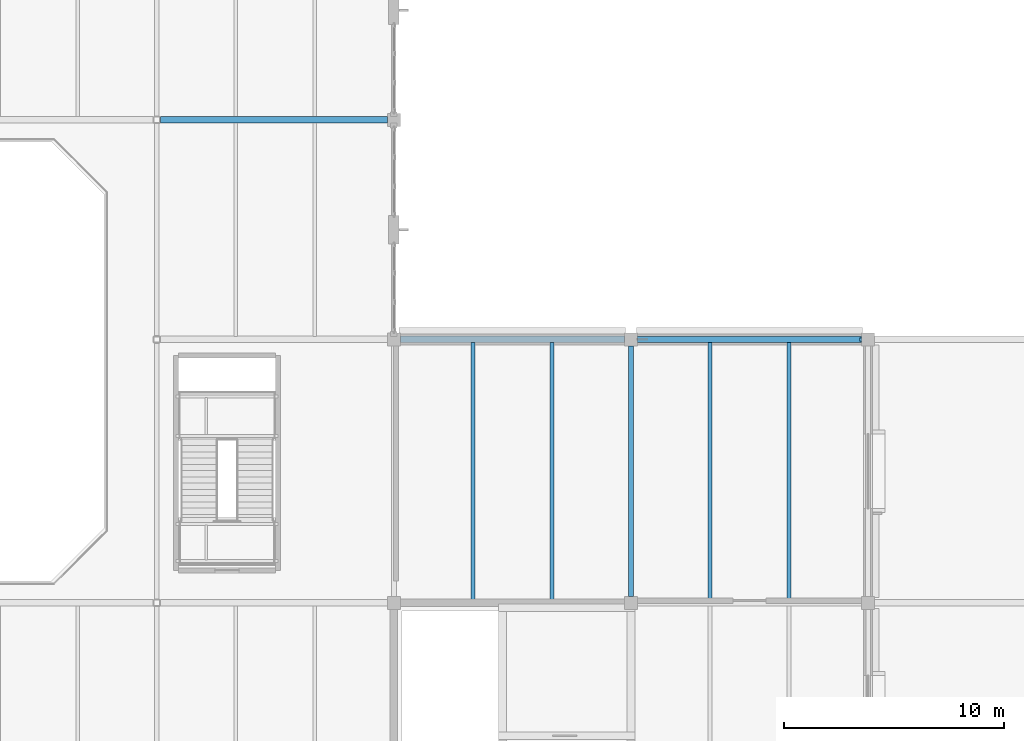
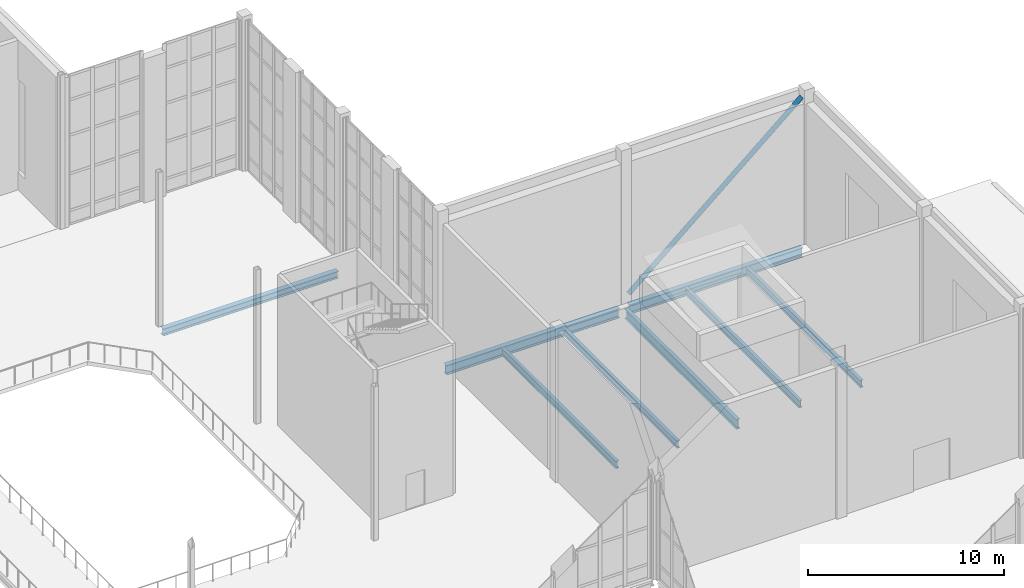
# One storey, part 41 of 100: 8 beams, 1 member.
"""IFC4 building model written with IfcOpenShell, lengths in metres."""

from ifc_helpers import new_model, si_unit, direction, frame, origin, origin_2d, place, context, subcontext, project, spatial, hollow_circle, i_section, extrude, material, material_profile, profile_set, type_object, element, save


model = new_model("IFC4")

# Units and contexts
model_context = context("Model", 3, precision=1e-05, world=origin(), true_north=direction((0.0, 1.0)))
body_context = subcontext(model_context, "Body", "Model", "MODEL_VIEW")
ifc_project = project(units=[si_unit("LENGTHUNIT", "METRE"), si_unit("AREAUNIT", "SQUARE_METRE"), si_unit("VOLUMEUNIT", "CUBIC_METRE"), si_unit("PLANEANGLEUNIT", "RADIAN"), si_unit("MASSUNIT", "GRAM", prefix="KILO")], contexts=[model_context])

# Site, building, storey
site_placement = place(None, origin())
site = spatial("IfcSite", under=ifc_project, at=site_placement, CompositionType="ELEMENT")
building_placement = place(site_placement, origin())
building = spatial("IfcBuilding", under=site, at=building_placement, Name="Tasgan Crest Museum", CompositionType="ELEMENT")
storey_placement = place(building_placement, frame((0.0, 0.0, 14.39990234375)))
storey = spatial("IfcBuildingStorey", under=building, at=storey_placement, Name="L03", CompositionType="ELEMENT", Elevation=14.39990234375)

# Beams
ifc_material_1 = material(Name="Steel S355J2", Category="steel")
ifc_material_profile_1 = material_profile(ifc_material_1, i_section(OverallWidth=0.300048828125, OverallDepth=0.43994140625, WebThickness=0.011474609375, FlangeThickness=0.02099609375, FilletRadius=0.027099609375, at=origin_2d()), Name="HEA 450")
ifc_profile_set_1 = profile_set([ifc_material_profile_1], Name="Steel S355J2")
beam_type_1 = type_object("IfcBeamType", Name="BM-G-HEA450", PredefinedType="BEAM", material=ifc_profile_set_1)
beam_1_placement = place(storey_placement, frame((97.373779296875, 72.0, -0.4599609375), z_axis=(1.0, 0.0, 0.0), x_axis=(0.0, 1.0, 0.0)))
element("IfcBeam", 1, at=beam_1_placement, inside=storey, type_object=beam_type_1, Name="Girder L03 H 97.2-108.0", PredefinedType="BEAM", context=body_context, shape_type="SweptSolid", body=[
    extrude(i_section(OverallWidth=0.300048828125, OverallDepth=0.43994140625, WebThickness=0.011474609375, FlangeThickness=0.02099609375, FilletRadius=0.027099609375, at=origin_2d()), origin(), (0.0, 0.0, 1.0), 10.330322265625),
])
ifc_material_2 = material(Name="Steel S355J2", Category="steel")
ifc_material_profile_2 = material_profile(ifc_material_2, i_section(OverallWidth=0.300048828125, OverallDepth=0.590087890625, WebThickness=0.012939453125, FlangeThickness=0.02490234375, FilletRadius=0.027099609375, at=origin_2d()), Name="HEA 600")
ifc_profile_set_2 = profile_set([ifc_material_profile_2], Name="Steel S355J2")
beam_type_2 = type_object("IfcBeamType", Name="BM-G-HEA600", PredefinedType="BEAM", material=ifc_profile_set_2)
for number, where, z_axis, x_axis, name in (
    (2, (108.2958984375, 62.0, -0.574951171875), (1.0, 0.0, 0.0), (0.0, 1.0, 0.0), "Girder L03 G 108.0-118.8"),
    (3, (119.095947265625, 62.0, -0.574951171875), (1.0, 0.0, 0.0), (0.0, 1.0, 0.0), "Girder L03 G 118.8-129.6"),
):
    element("IfcBeam", number, at=place(storey_placement, frame(where, z_axis=z_axis, x_axis=x_axis)), inside=storey, type_object=beam_type_2, Name=name, PredefinedType="BEAM", context=body_context, shape_type="SweptSolid", body=[
        extrude(i_section(OverallWidth=0.300048828125, OverallDepth=0.590087890625, WebThickness=0.012939453125, FlangeThickness=0.02490234375, FilletRadius=0.027099609375, at=origin_2d()), origin(), (0.0, 0.0, 1.0), 10.2080078125),
    ])
ifc_material_3 = material(Name="Steel S355J2", Category="steel")
ifc_material_profile_3 = material_profile(ifc_material_3, i_section(OverallWidth=0.219970703125, OverallDepth=0.60009765625, WebThickness=0.011962890625, FlangeThickness=0.01904296875, FilletRadius=0.02392578125, at=origin_2d()), Name="IPE 600")
ifc_profile_set_3 = profile_set([ifc_material_profile_3], Name="Steel S355J2")
beam_type_3 = type_object("IfcBeamType", Name="BM-G-IPE600", PredefinedType="BEAM", material=ifc_profile_set_3)
beam_2_placement = place(storey_placement, frame((118.800048828125, 50.294921875, -0.579833984375), z_axis=(0.0, 1.0, 0.0), x_axis=(-1.0, 0.0, 0.0)))
element("IfcBeam", 4, at=beam_2_placement, inside=storey, type_object=beam_type_3, Name="Beam L03 12 50.0-62.0", PredefinedType="BEAM", context=body_context, shape_type="SweptSolid", body=[
    extrude(i_section(OverallWidth=0.219970703125, OverallDepth=0.60009765625, WebThickness=0.011962890625, FlangeThickness=0.01904296875, FilletRadius=0.02392578125, at=origin_2d()), origin(), (0.0, 0.0, 1.0), 11.41015625),
])
ifc_material_4 = material(Name="Steel S355J2", Category="steel")
ifc_material_profile_4 = material_profile(ifc_material_4, i_section(OverallWidth=0.18994140625, OverallDepth=0.449951171875, WebThickness=0.009521484375, FlangeThickness=0.0146484375, FilletRadius=0.02099609375, at=origin_2d()), Name="IPE 450")
ifc_profile_set_4 = profile_set([ifc_material_profile_4], Name="Steel S355J2")
beam_type_4 = type_object("IfcBeamType", Name="BM-J-IPE450", PredefinedType="JOIST", material=ifc_profile_set_4)
for number, where, z_axis, x_axis, name in (
    (5, (111.60009765625, 50.14501953125, -0.5048828125), (0.0, 1.0, 0.0), (-1.0, 0.0, 0.0), "Secondary joist L03 X=111.6 Y=50.0-62.0"),
    (6, (115.199951171875, 50.14501953125, -0.5048828125), (0.0, 1.0, 0.0), (-1.0, 0.0, 0.0), "Secondary joist L03 X=115.2 Y=50.0-62.0"),
    (7, (122.39990234375, 50.14501953125, -0.5048828125), (0.0, 1.0, 0.0), (-1.0, 0.0, 0.0), "Secondary joist L03 X=122.4 Y=50.0-62.0"),
    (8, (126.0, 50.14501953125, -0.5048828125), (0.0, 1.0, 0.0), (-1.0, 0.0, 0.0), "Secondary joist L03 X=126.0 Y=50.0-62.0"),
):
    element("IfcBeam", number, at=place(storey_placement, frame(where, z_axis=z_axis, x_axis=x_axis)), inside=storey, type_object=beam_type_4, Name=name, PredefinedType="JOIST", context=body_context, shape_type="SweptSolid", body=[
        extrude(i_section(OverallWidth=0.18994140625, OverallDepth=0.449951171875, WebThickness=0.009521484375, FlangeThickness=0.0146484375, FilletRadius=0.02099609375, at=origin_2d()), origin(), (0.0, 0.0, 1.0), 11.7099609375),
    ])

# Member
ifc_material_5 = material(Name="Steel S355K2", Category="steel")
ifc_material_profile_5 = material_profile(ifc_material_5, hollow_circle(Radius=0.136474609375, WallThickness=0.012451171875, at=origin_2d()), Name="CHS 273x12.5")
ifc_profile_set_5 = profile_set([ifc_material_profile_5], Name="Steel S355K2")
member_type = type_object("IfcMemberType", Name="MEM-BRACE-CHS273", PredefinedType="BRACE", material=ifc_profile_set_5)
member_placement = place(storey_placement, frame((119.10009765625, 62.0, 0.35009765625), z_axis=(0.760834216414, 0.0, 0.648946296032), x_axis=(0.0, 1.0, 0.0)))
element("IfcMember", 9, at=member_placement, inside=storey, type_object=member_type, Name="Diagonal brace L03 G 118.8-129.6", PredefinedType="BRACE", context=body_context, shape_type="SweptSolid", body=[
    extrude(hollow_circle(Radius=0.136474609375, WallThickness=0.012451171875, at=origin_2d()), origin(), (0.0, 0.0, 1.0), 13.40625),
])

save(model, "model.ifc")
